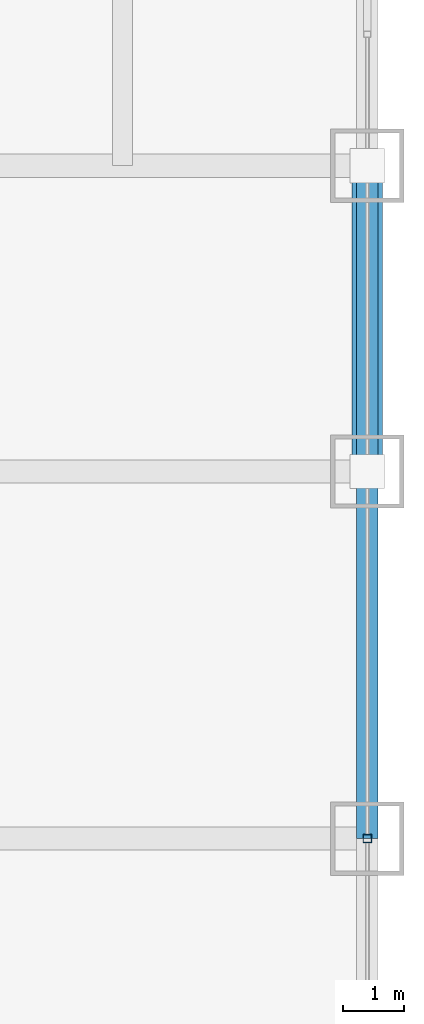
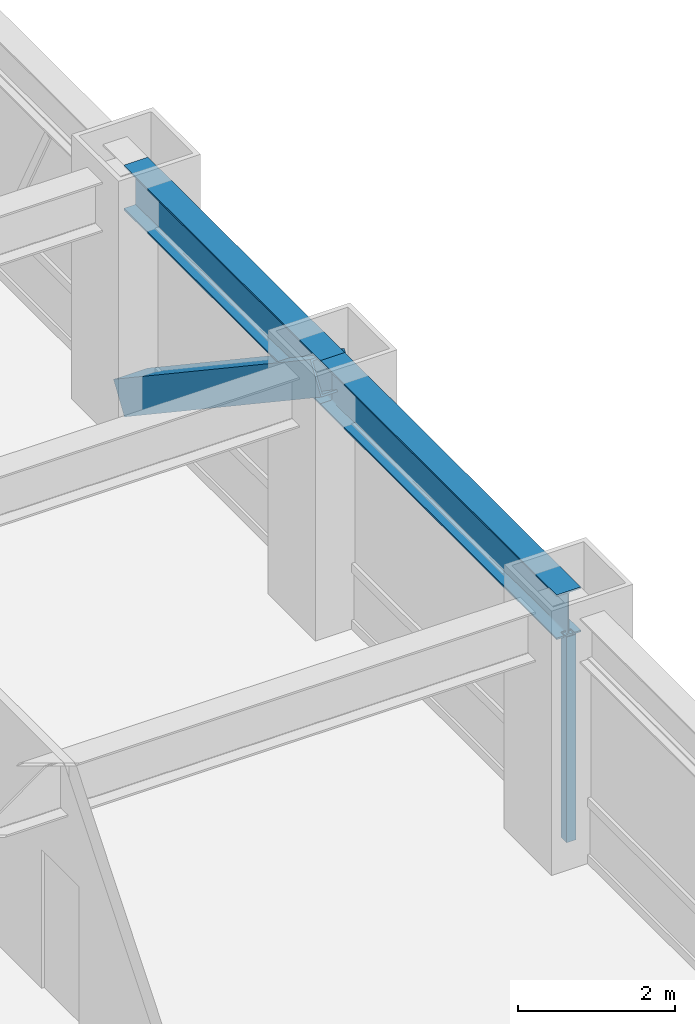
# One storey, part 14 of 27: 2 beams, 2 members, 1 element without a shape of its own.
"""IFC4 building model written with IfcOpenShell, lengths in metres."""

from ifc_helpers import new_model, si_unit, direction, frame, origin, origin_2d, place, context, subcontext, project, spatial, hollow_rectangle, i_section, extrude, source, transform, mapped, material, material_profile, profile_set, type_object, element, aggregate, save


model = new_model("IFC4")

# Units and contexts
model_context = context("Model", 3, precision=1e-05, world=origin(), true_north=direction((0.0, 1.0)))
body_context = subcontext(model_context, "Body", "Model", "MODEL_VIEW")
ifc_project = project(units=[si_unit("LENGTHUNIT", "METRE"), si_unit("AREAUNIT", "SQUARE_METRE"), si_unit("VOLUMEUNIT", "CUBIC_METRE"), si_unit("PLANEANGLEUNIT", "RADIAN"), si_unit("MASSUNIT", "GRAM", prefix="KILO")], contexts=[model_context])

# Site, building, storey
site_placement = place(None, origin())
site = spatial("IfcSite", under=ifc_project, at=site_placement, CompositionType="ELEMENT")
building_placement = place(site_placement, origin())
building = spatial("IfcBuilding", under=site, at=building_placement, Name="Khorayat Bourse Tower", CompositionType="ELEMENT")
storey_placement = place(building_placement, frame((0.0, 0.0, 140.60009765625)))
storey = spatial("IfcBuildingStorey", under=building, at=storey_placement, Name="L32", CompositionType="ELEMENT", Elevation=140.60009765625)

# Beams
ifc_material_1 = material(Name="Steel ASTM A992 Grade 50", Category="steel")
ifc_material_profile_1 = material_profile(ifc_material_1, i_section(OverallWidth=0.35498046875, OverallDepth=0.695068359375, WebThickness=0.015380859375, FlangeThickness=0.02490234375, FilletRadius=0.01806640625, at=origin_2d()), Name="W690X217")
ifc_profile_set_1 = profile_set([ifc_material_profile_1], Name="Steel ASTM A992 Grade 50")
beam_type = type_object("IfcBeamType", Name="BM-SPAN-690", PredefinedType="SPANDREL", material=ifc_profile_set_1)
shared_shape_1 = source(origin(), body_context, "Body", "SweptSolid", [
    extrude(i_section(OverallWidth=0.35498046875, OverallDepth=0.695068359375, WebThickness=0.015380859375, FlangeThickness=0.02490234375, FilletRadius=0.01806640625, at=origin_2d()), origin(), (0.0, 0.0, 1.0), 5.0),
])
beam_1_placement = place(storey_placement, frame((32.0, 6.0, 3.492431640625), z_axis=(0.0, 1.0, 0.0), x_axis=(-1.0, 0.0, 0.0)))
element("IfcBeam", 1, at=beam_1_placement, inside=storey, type_object=beam_type, Name="L32 BM-SPAN-690 BM-L32-SPN-039", PredefinedType="SPANDREL", context=body_context, shape_type="MappedRepresentation", body=[
    mapped(shared_shape_1, transform((0.0, 0.0, 0.0), scale=1.0)),
])
shared_shape_2 = source(origin(), body_context, "Body", "SweptSolid", [
    extrude(i_section(OverallWidth=0.35498046875, OverallDepth=0.695068359375, WebThickness=0.015380859375, FlangeThickness=0.02490234375, FilletRadius=0.01806640625, at=origin_2d()), origin(), (0.0, 0.0, 1.0), 6.0),
])
beam_2_placement = place(storey_placement, frame((32.0, 0.0, 3.492431640625), z_axis=(0.0, 1.0, 0.0), x_axis=(-1.0, 0.0, 0.0)))
element("IfcBeam", 2, at=beam_2_placement, inside=storey, type_object=beam_type, Name="L32 BM-SPAN-690 BM-L32-SPN-038", PredefinedType="SPANDREL", context=body_context, shape_type="MappedRepresentation", body=[
    mapped(shared_shape_2, transform((0.0, 0.0, 0.0), scale=1.0)),
])

# Member
ifc_material_2 = material(Name="Steel EN 10025-4 S460M", Category="steel")
ifc_material_profile_2 = material_profile(ifc_material_2, hollow_rectangle(XDim=0.5, YDim=0.5, WallThickness=0.028076171875, at=origin_2d()), Name="HSS 500x500x28")
ifc_profile_set_2 = profile_set([ifc_material_profile_2], Name="Steel EN 10025-4 S460M")
member_type_1 = type_object("IfcMemberType", Name="MBR-TUBE-500", PredefinedType="BRACE", material=ifc_profile_set_2)
shared_shape_3 = source(origin(), body_context, "Body", "SweptSolid", [
    extrude(hollow_rectangle(XDim=0.5, YDim=0.5, WallThickness=0.028076171875, at=origin_2d()), origin(), (0.0, 0.0, 1.0), 6.012939453125),
])
member_1_placement = place(storey_placement, frame((32.0, 6.0, 3.58984375), z_axis=(0.0, 0.831550226979, -0.555449565677), x_axis=(-1.0, 0.0, 0.0)))
element("IfcMember", 3, at=member_1_placement, inside=storey, type_object=member_type_1, Name="L32 Perimeter Tube Brace 08", PredefinedType="BRACE", context=body_context, shape_type="MappedRepresentation", body=[
    mapped(shared_shape_3, transform((0.0, 0.0, 0.0), scale=1.0)),
])

# Curtain wall, member
ifc_material_3 = material(Name="Aluminium EN AW-6063 T6", Category="aluminium")
curtain_wall_type = type_object("IfcCurtainWallType", Name="CW-SYS-02", PredefinedType="NOTDEFINED", material=ifc_material_3)
curtain_wall_placement = place(storey_placement, origin())
curtain_wall = element("IfcCurtainWall", 4, at=curtain_wall_placement, inside=storey, type_object=curtain_wall_type, Name="L32 Curtain Wall CW-L32-E1", PredefinedType="NOTDEFINED")
ifc_material_profile_3 = material_profile(ifc_material_3, hollow_rectangle(XDim=0.139892578125, YDim=0.139892578125, WallThickness=0.006103515625, at=origin_2d()), Name="ALU 140x140x6")
ifc_profile_set_3 = profile_set([ifc_material_profile_3], Name="Aluminium EN AW-6063 T6")
member_type_2 = type_object("IfcMemberType", Name="CWM-VERT-140", PredefinedType="MULLION", material=ifc_profile_set_3)
shared_shape_4 = source(origin(), body_context, "Body", "SweptSolid", [
    extrude(hollow_rectangle(XDim=0.139892578125, YDim=0.139892578125, WallThickness=0.006103515625, at=origin_2d()), origin(), (0.0, 0.0, 1.0), 3.18994140625),
])
member_2_placement = place(storey_placement, frame((32.0, 0.0, 0.0), z_axis=(0.0, 0.0, 1.0), x_axis=(-1.0, 0.0, 0.0)))
member_2 = element("IfcMember", 5, at=member_2_placement, type_object=member_type_2, Name="CW-L32-E1 Vertical Mullion 2", PredefinedType="MULLION", context=body_context, shape_type="MappedRepresentation", body=[
    mapped(shared_shape_4, transform((0.0, 0.0, 0.0), scale=1.0)),
])
aggregate(curtain_wall, [member_2])

save(model, "model.ifc")
